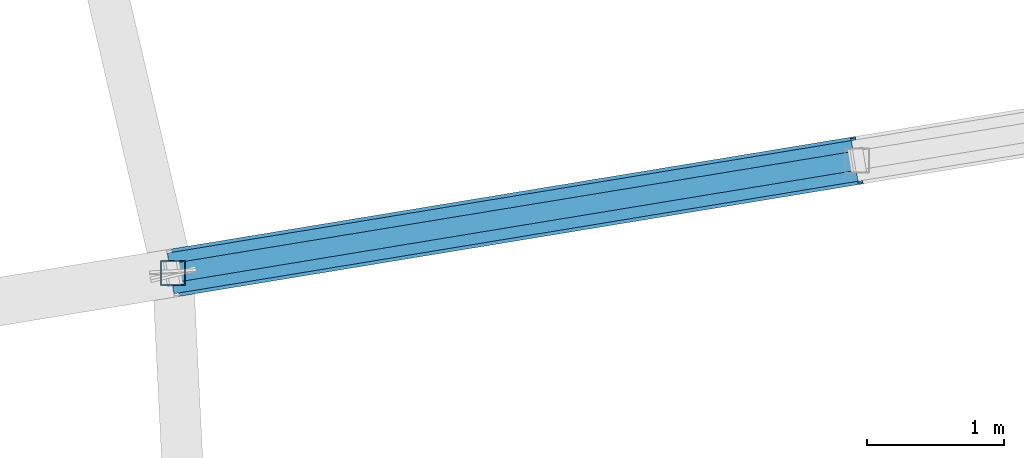
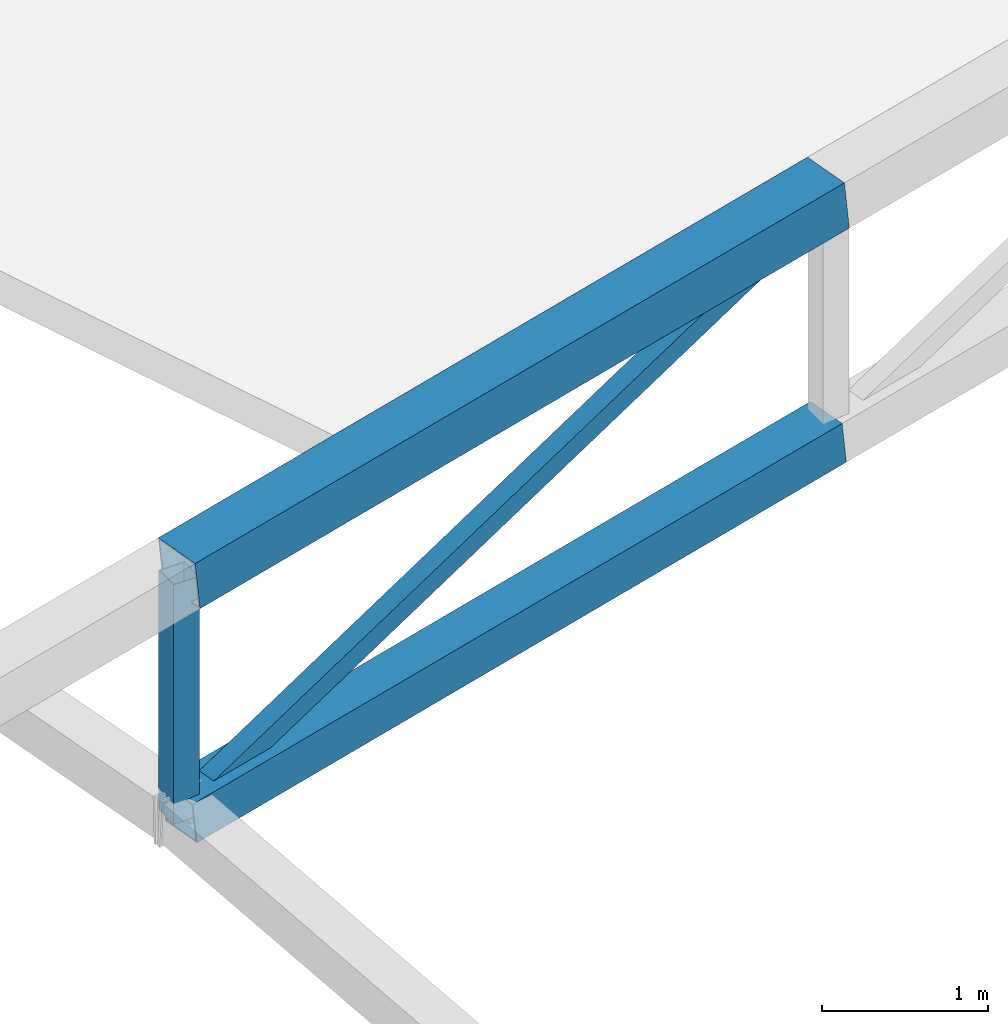
# One storey, part 94 of 188: 4 members.
"""IFC4 building model written with IfcOpenShell, lengths in metres."""

import ifcopenshell
import ifcopenshell.guid

model = None  # the IFC model being written
_history = None  # IfcOwnerHistory: only IFC2X3 demands one
_inside = {}  # id of a spatial element -> (the spatial element, [elements in it])
_under = {}  # id of a project, library or spatial element -> (it, [spatial elements below it])
_declared = {}  # id of a project -> (the project, [libraries it declares])
_typed = {}  # id of a type object -> (the type object, [elements of that type])
_made_of = {}  # id of a material, layer set ... -> (it, [elements and type objects made of it])


def new_model(schema):
    """Start an empty IFC model of exactly this schema.

    Asked for "IFC4X3", IfcOpenShell would pick the latest addendum, in which some entities
    have other attributes; the version numbers below select the first issue.
    IFC2X3 requires an IfcOwnerHistory on every rooted entity: one is made here for all.
    """
    global model, _history
    if schema == "IFC4X3":
        model = ifcopenshell.file(schema_version=(4, 3, 0, 0))
    else:
        model = ifcopenshell.file(schema=schema)
    _inside.clear()
    _under.clear()
    _declared.clear()
    _typed.clear()
    _made_of.clear()
    _history = None
    if model.schema == "IFC2X3":
        org = make("IfcOrganization", Name="unknown")
        user = make(
            "IfcPersonAndOrganization",
            ThePerson=make("IfcPerson", FamilyName="unknown"),
            TheOrganization=org,
        )
        app = make(
            "IfcApplication",
            ApplicationDeveloper=org,
            Version="unknown",
            ApplicationFullName="unknown",
            ApplicationIdentifier="unknown",
        )
        _history = make(
            "IfcOwnerHistory",
            OwningUser=user,
            OwningApplication=app,
            ChangeAction="ADDED",
            CreationDate=0,
        )
    return model


def make(cls, **values):
    """One entity of the class cls with the attributes given. An attribute that is None is left unset."""
    return model.create_entity(
        cls, **{name: value for name, value in values.items() if value is not None}
    )


def rooted(cls, **values):
    """An entity with a GlobalId (a new one), such as an element, a storey or a relation."""
    return make(cls, GlobalId=ifcopenshell.guid.new(), OwnerHistory=_history, **values)


def si_unit(unit_type, name, prefix=None):
    """IfcSIUnit, for example si_unit("LENGTHUNIT", "METRE", prefix="MILLI")."""
    return make("IfcSIUnit", UnitType=unit_type, Prefix=prefix, Name=name)


def assignment(units):
    """IfcUnitAssignment: the units of a project."""
    return None if units is None else make("IfcUnitAssignment", Units=units)


def point(xyz):
    """IfcCartesianPoint."""
    return None if xyz is None else make("IfcCartesianPoint", Coordinates=xyz)


def direction(xyz):
    """IfcDirection."""
    return None if xyz is None else make("IfcDirection", DirectionRatios=xyz)


def frame(location, z_axis=None, x_axis=None):
    """IfcAxis2Placement3D, a coordinate frame: its origin and axes. An axis left out is left unset."""
    return make(
        "IfcAxis2Placement3D",
        Location=point(location),
        Axis=direction(z_axis),
        RefDirection=direction(x_axis),
    )


def frame_2d(location, x_axis=None):
    """IfcAxis2Placement2D, a coordinate frame in the plane: its origin and x axis."""
    return make(
        "IfcAxis2Placement2D", Location=point(location), RefDirection=direction(x_axis)
    )


def origin():
    """The frame at (0, 0, 0) with its axes left unset."""
    return frame((0.0, 0.0, 0.0))


def origin_2d():
    """The frame at (0, 0) in the plane with its x axis left unset."""
    return frame_2d((0.0, 0.0))


def place(relative_to, where):
    """IfcLocalPlacement: puts the frame where relative to a parent placement (None: the world)."""
    return make(
        "IfcLocalPlacement", PlacementRelTo=relative_to, RelativePlacement=where
    )


def context(
    kind, dimensions, precision=None, world=None, true_north=None, identifier=None
):
    """IfcGeometricRepresentationContext, for example the 3D "Model" context."""
    return make(
        "IfcGeometricRepresentationContext",
        ContextIdentifier=identifier,
        ContextType=kind,
        CoordinateSpaceDimension=dimensions,
        Precision=precision,
        WorldCoordinateSystem=world,
        TrueNorth=true_north,
    )


def subcontext(parent, identifier, kind, view, scale=None):
    """IfcGeometricRepresentationSubContext, for example "Body" below "Model"."""
    return make(
        "IfcGeometricRepresentationSubContext",
        ContextIdentifier=identifier,
        ContextType=kind,
        ParentContext=parent,
        TargetScale=scale,
        TargetView=view,
    )


def project(units=None, contexts=None):
    """IfcProject with its units and contexts."""
    return rooted(
        "IfcProject",
        Name="project",
        RepresentationContexts=contexts,
        UnitsInContext=assignment(units),
    )


def spatial(cls, under=None, at=None, **own):
    """A site, building, storey or space (cls), placed at a placement, below another one or the project."""
    s = rooted(cls, ObjectPlacement=at, **own)
    if under is not None:
        _under.setdefault(under.id(), (under, []))[1].append(s)
    return s


def profile(cls, at=None, kind="AREA", **sizes):
    """A parametric profile (cls). Its sizes go by their IFC names, for example OverallWidth=200.0."""
    return make(cls, ProfileType=kind, Position=at, **sizes)


def hollow_rectangle(**sizes):
    """IfcRectangleHollowProfileDef."""
    return profile("IfcRectangleHollowProfileDef", **sizes)


def extrude(swept, where, along, depth):
    """IfcExtrudedAreaSolid: the profile swept, set in the frame where, extruded along a direction by depth."""
    return make(
        "IfcExtrudedAreaSolid",
        SweptArea=swept,
        Position=where,
        ExtrudedDirection=direction(along),
        Depth=depth,
    )


def shape(context_of_items, identifier, shape_type, items):
    """IfcShapeRepresentation: the items that make up one representation, for example the "Body"."""
    return make(
        "IfcShapeRepresentation",
        ContextOfItems=context_of_items,
        RepresentationIdentifier=identifier,
        RepresentationType=shape_type,
        Items=items,
    )


def material(Name=None, Category=None):
    """IfcMaterial."""
    return make("IfcMaterial", Name=Name, Category=Category)


def material_profile(
    of_material, cross_section, Name=None, Category=None, Priority=None
):
    """IfcMaterialProfile: a cross section and its material."""
    return make(
        "IfcMaterialProfile",
        Name=Name,
        Material=of_material,
        Profile=cross_section,
        Priority=Priority,
        Category=Category,
    )


def profile_set(profiles, Name=None, composite=None):
    """IfcMaterialProfileSet."""
    return make(
        "IfcMaterialProfileSet",
        Name=Name,
        MaterialProfiles=profiles,
        CompositeProfile=composite,
    )


def made_of(thing, what):
    """Note that an element or type object is made of a material, layer set ...; save() writes the relation."""
    if what is not None:
        _made_of.setdefault(what.id(), (what, []))[1].append(thing)
    return thing


def type_object(cls, material=None, **own):
    """A type object (cls), such as IfcWallType, which elements share."""
    return made_of(rooted(cls, **own), material)


def element(
    cls,
    number,
    at=None,
    inside=None,
    cuts=None,
    type_object=None,
    material=None,
    context=None,
    identifier="Body",
    shape_type=None,
    held_by="IfcProductDefinitionShape",
    body=None,
    shapes=None,
    **own,
):
    """One element of the class cls, such as IfcWall. Its Tag is "e" and its number.

    at: its placement. inside: the storey or other place that contains it. cuts: it is an
    opening in that element (IfcRelVoidsElement). A single representation is given by context,
    identifier, shape_type and body (its items); several are given by shapes. held_by: the class
    of the entity that holds the representations. save() writes the other relations.
    """
    e = rooted(cls, Tag="e%d" % number, ObjectPlacement=at, **own)
    if body is not None:
        shapes = [shape(context, identifier, shape_type, body)]
    if shapes is not None:
        e.Representation = make(held_by, Representations=shapes)
    if inside is not None:
        _inside.setdefault(inside.id(), (inside, []))[1].append(e)
    if cuts is not None:
        rooted(
            "IfcRelVoidsElement", RelatingBuildingElement=cuts, RelatedOpeningElement=e
        )
    if type_object is not None:
        _typed.setdefault(type_object.id(), (type_object, []))[1].append(e)
    return made_of(e, material)


def aggregate(whole, parts):
    """IfcRelAggregates: a whole, such as a stair, and the parts it consists of."""
    return rooted("IfcRelAggregates", RelatingObject=whole, RelatedObjects=parts)


def save(model, path):
    """Write the relations noted so far, then the file.

    IfcRelAggregates (storeys below a building ...), IfcRelContainedInSpatialStructure (elements
    in a storey), IfcRelDefinesByType, IfcRelAssociatesMaterial and IfcRelDeclares: one each for
    every whole, place, type object, material and project.
    """
    for whole, parts in _under.values():
        aggregate(whole, parts)
    for where, things in _inside.values():
        rooted(
            "IfcRelContainedInSpatialStructure",
            RelatedElements=things,
            RelatingStructure=where,
        )
    for kind, things in _typed.values():
        rooted("IfcRelDefinesByType", RelatedObjects=things, RelatingType=kind)
    for what, things in _made_of.values():
        rooted("IfcRelAssociatesMaterial", RelatedObjects=things, RelatingMaterial=what)
    for by, libraries in _declared.values():
        rooted("IfcRelDeclares", RelatingContext=by, RelatedDefinitions=libraries)
    model.write(path)


model = new_model("IFC4")

# Units and contexts
model_context = context("Model", 3, precision=1e-05, world=origin(), true_north=direction((0.0, 1.0)))
body_context = subcontext(model_context, "Body", "Model", "MODEL_VIEW")
ifc_project = project(units=[si_unit("LENGTHUNIT", "METRE"), si_unit("AREAUNIT", "SQUARE_METRE"), si_unit("VOLUMEUNIT", "CUBIC_METRE"), si_unit("PLANEANGLEUNIT", "RADIAN"), si_unit("MASSUNIT", "GRAM", prefix="KILO")], contexts=[model_context])

# Site, building, storey
site_placement = place(None, origin())
site = spatial("IfcSite", under=ifc_project, at=site_placement, CompositionType="ELEMENT")
building_placement = place(site_placement, origin())
building = spatial("IfcBuilding", under=site, at=building_placement, Name="Meseta Stadium", CompositionType="ELEMENT")
storey_placement = place(building_placement, frame((0.0, 0.0, 30.0)))
storey = spatial("IfcBuildingStorey", under=building, at=storey_placement, Name="ROOF", CompositionType="ELEMENT", Elevation=30.0)

# Members
ifc_material_1 = material(Name="Steel S355", Category="steel")
ifc_material_profile_1 = material_profile(ifc_material_1, hollow_rectangle(XDim=0.139892578125, YDim=0.139892578125, WallThickness=0.0048828125, at=origin_2d()), Name="SHS 140x140x5")
ifc_profile_set_1 = profile_set([ifc_material_profile_1], Name="Steel S355")
member_type_1 = type_object("IfcMemberType", Name="SHS 140x140x5 diagonal", PredefinedType="BRACE", material=ifc_profile_set_1)
member_1_placement = place(storey_placement, frame((84.3251953125, 53.801513671875, 0.800048828125), z_axis=(0.897327837288, 0.147628163072, 0.415943118582), x_axis=(-0.162337457447, 0.986735298806, 0.0)))
element("IfcMember", 1, at=member_1_placement, inside=storey, type_object=member_type_1, Name="ROOF TRUSS RT-09 diagonal", PredefinedType="BRACE", context=body_context, shape_type="SweptSolid", body=[
    extrude(hollow_rectangle(XDim=0.139892578125, YDim=0.139892578125, WallThickness=0.0048828125, at=origin_2d()), origin(), (0.0, 0.0, 1.0), 5.554931640625),
])
ifc_material_2 = material(Name="Steel S355", Category="steel")
ifc_material_profile_2 = material_profile(ifc_material_2, hollow_rectangle(XDim=0.179931640625, YDim=0.179931640625, WallThickness=0.00634765625, at=origin_2d()), Name="SHS 180x180x6.3")
ifc_profile_set_2 = profile_set([ifc_material_profile_2], Name="Steel S355")
member_type_2 = type_object("IfcMemberType", Name="SHS 180x180x6.3 post", PredefinedType="POST", material=ifc_profile_set_2)
member_2_placement = place(storey_placement, frame((84.3251953125, 53.801513671875, 0.800048828125), z_axis=(0.0, 0.0, 1.0), x_axis=(1.0, 0.0, 0.0)))
element("IfcMember", 2, at=member_2_placement, inside=storey, type_object=member_type_2, Name="ROOF TRUSS RT-09 post", PredefinedType="POST", context=body_context, shape_type="SweptSolid", body=[
    extrude(hollow_rectangle(XDim=0.179931640625, YDim=0.179931640625, WallThickness=0.00634765625, at=origin_2d()), origin(), (0.0, 0.0, 1.0), 1.7568359375),
])
ifc_material_3 = material(Name="Steel S355", Category="steel")
ifc_material_profile_3 = material_profile(ifc_material_3, hollow_rectangle(XDim=0.300048828125, YDim=0.300048828125, WallThickness=0.010009765625, at=origin_2d()), Name="SHS 300x300x10")
ifc_profile_set_3 = profile_set([ifc_material_profile_3], Name="Steel S355")
member_type_3 = type_object("IfcMemberType", Name="SHS 300x300x10 bottom chord", PredefinedType="CHORD", material=ifc_profile_set_3)
member_3_placement = place(storey_placement, frame((84.3251953125, 53.801513671875, 0.800048828125), z_axis=(0.980860645076, 0.161370960808, 0.10895782647), x_axis=(-0.162337457447, 0.986735298806, 0.0)))
element("IfcMember", 3, at=member_3_placement, inside=storey, type_object=member_type_3, Name="ROOF TRUSS RT-09 bottom chord", PredefinedType="CHORD", context=body_context, shape_type="SweptSolid", body=[
    extrude(hollow_rectangle(XDim=0.300048828125, YDim=0.300048828125, WallThickness=0.010009765625, at=origin_2d()), origin(), (0.0, 0.0, 1.0), 5.081787109375),
])
ifc_material_4 = material(Name="Steel S355", Category="steel")
ifc_material_profile_4 = material_profile(ifc_material_4, hollow_rectangle(XDim=0.35009765625, YDim=0.35009765625, WallThickness=0.010009765625, at=origin_2d()), Name="SHS 350x350x10")
ifc_profile_set_4 = profile_set([ifc_material_profile_4], Name="Steel S355")
member_type_4 = type_object("IfcMemberType", Name="SHS 350x350x10 top chord", PredefinedType="CHORD", material=ifc_profile_set_4)
member_4_placement = place(storey_placement, frame((84.3251953125, 53.801513671875, 2.556884765625), z_axis=(0.980860645076, 0.161370960808, 0.10895782647), x_axis=(-0.162337457447, 0.986735298806, 0.0)))
element("IfcMember", 4, at=member_4_placement, inside=storey, type_object=member_type_4, Name="ROOF TRUSS RT-09 top chord", PredefinedType="CHORD", context=body_context, shape_type="SweptSolid", body=[
    extrude(hollow_rectangle(XDim=0.35009765625, YDim=0.35009765625, WallThickness=0.010009765625, at=origin_2d()), origin(), (0.0, 0.0, 1.0), 5.081787109375),
])

save(model, "model.ifc")
